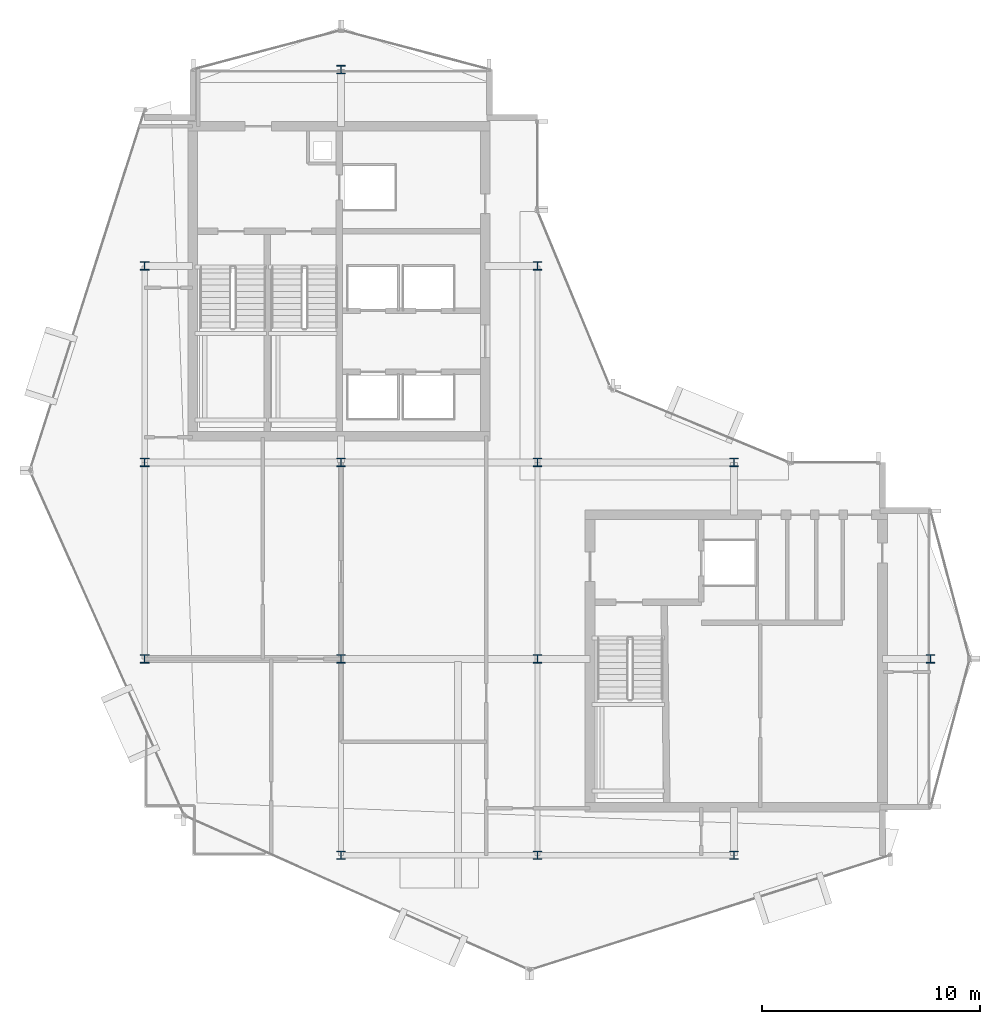
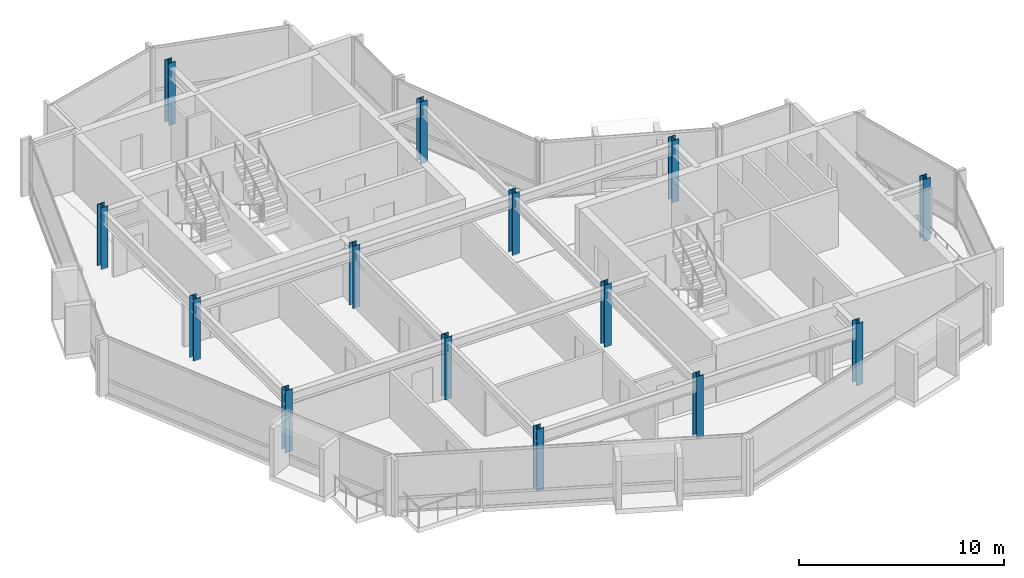
# One storey, part 1 of 19: 14 columns.
"""IFC4 building model written with IfcOpenShell, lengths in metres."""

from ifc_helpers import new_model, si_unit, direction, frame, origin, origin_2d, place, context, subcontext, project, spatial, i_section, extrude, material, material_profile, profile_set, type_object, element, save


model = new_model("IFC4")

# Units and contexts
model_context = context("Model", 3, precision=1e-05, world=origin(), true_north=direction((0.0, 1.0)))
body_context = subcontext(model_context, "Body", "Model", "MODEL_VIEW")
ifc_project = project(units=[si_unit("LENGTHUNIT", "METRE"), si_unit("AREAUNIT", "SQUARE_METRE"), si_unit("VOLUMEUNIT", "CUBIC_METRE"), si_unit("PLANEANGLEUNIT", "RADIAN"), si_unit("MASSUNIT", "GRAM", prefix="KILO")], contexts=[model_context])

# Site, building, storey
site_placement = place(None, origin())
site = spatial("IfcSite", under=ifc_project, at=site_placement, CompositionType="ELEMENT")
building_placement = place(site_placement, origin())
building = spatial("IfcBuilding", under=site, at=building_placement, Name="Solvaryn Broadcast Tower", CompositionType="ELEMENT")
storey_placement = place(building_placement, frame((0.0, 0.0, 255.60009765625)))
storey = spatial("IfcBuildingStorey", under=building, at=storey_placement, Name="L64", CompositionType="ELEMENT", Elevation=255.60009765625)

# Columns
ifc_material_1 = material(Name="Steel ASTM A913 Grade 65", Category="steel")
ifc_material_profile_1 = material_profile(ifc_material_1, i_section(OverallWidth=0.39697265625, OverallDepth=0.386962890625, WebThickness=0.02099609375, FlangeThickness=0.033203125, FilletRadius=0.014892578125, at=origin_2d()))
ifc_profile_set_1 = profile_set([ifc_material_profile_1], Name="Steel ASTM A913 Grade 65")
column_type_1 = type_object("IfcColumnType", Name="COL-C09E-W14X176", PredefinedType="COLUMN", material=ifc_profile_set_1)
for number, where, z_axis, x_axis, name in (
    (1, (9.0, 18.0, 0.0), (0.0, 0.0, 1.0), (1.0, 0.0, 0.0), "L64 Column (9.0, 18.0)"),
    (2, (9.0, 27.0, 0.0), (0.0, 0.0, 1.0), (1.0, 0.0, 0.0), "L64 Column (9.0, 27.0)"),
    (3, (9.0, 36.0, 0.0), (0.0, 0.0, 1.0), (1.0, 0.0, 0.0), "L64 Column (9.0, 36.0)"),
    (4, (18.0, 9.0, 0.0), (0.0, 0.0, 1.0), (1.0, 0.0, 0.0), "L64 Column (18.0, 9.0)"),
    (5, (18.0, 45.0, 0.0), (0.0, 0.0, 1.0), (1.0, 0.0, 0.0), "L64 Column (18.0, 45.0)"),
    (6, (27.0, 9.0, 0.0), (0.0, 0.0, 1.0), (1.0, 0.0, 0.0), "L64 Column (27.0, 9.0)"),
    (7, (27.0, 36.0, 0.0), (0.0, 0.0, 1.0), (1.0, 0.0, 0.0), "L64 Column (27.0, 36.0)"),
    (8, (36.0, 9.0, 0.0), (0.0, 0.0, 1.0), (1.0, 0.0, 0.0), "L64 Column (36.0, 9.0)"),
    (9, (36.0, 27.0, 0.0), (0.0, 0.0, 1.0), (1.0, 0.0, 0.0), "L64 Column (36.0, 27.0)"),
    (10, (45.0, 18.0, 0.0), (0.0, 0.0, 1.0), (1.0, 0.0, 0.0), "L64 Column (45.0, 18.0)"),
):
    element("IfcColumn", number, at=place(storey_placement, frame(where, z_axis=z_axis, x_axis=x_axis)), inside=storey, type_object=column_type_1, Name=name, PredefinedType="COLUMN", context=body_context, shape_type="SweptSolid", body=[
        extrude(i_section(OverallWidth=0.39697265625, OverallDepth=0.386962890625, WebThickness=0.02099609375, FlangeThickness=0.033203125, FilletRadius=0.014892578125, at=origin_2d()), origin(), (0.0, 0.0, 1.0), 3.699951171875),
    ])
ifc_material_2 = material(Name="Steel ASTM A913 Grade 65", Category="steel")
ifc_material_profile_2 = material_profile(ifc_material_2, i_section(OverallWidth=0.39697265625, OverallDepth=0.386962890625, WebThickness=0.02099609375, FlangeThickness=0.033203125, FilletRadius=0.014892578125, at=origin_2d()))
ifc_profile_set_2 = profile_set([ifc_material_profile_2], Name="Steel ASTM A913 Grade 65")
column_type_2 = type_object("IfcColumnType", Name="COL-C09I-W14X176", PredefinedType="COLUMN", material=ifc_profile_set_2)
for number, where, z_axis, x_axis, name in (
    (11, (18.0, 18.0, 0.0), (0.0, 0.0, 1.0), (1.0, 0.0, 0.0), "L64 Column (18.0, 18.0)"),
    (12, (18.0, 27.0, 0.0), (0.0, 0.0, 1.0), (1.0, 0.0, 0.0), "L64 Column (18.0, 27.0)"),
    (13, (27.0, 18.0, 0.0), (0.0, 0.0, 1.0), (1.0, 0.0, 0.0), "L64 Column (27.0, 18.0)"),
    (14, (27.0, 27.0, 0.0), (0.0, 0.0, 1.0), (1.0, 0.0, 0.0), "L64 Column (27.0, 27.0)"),
):
    element("IfcColumn", number, at=place(storey_placement, frame(where, z_axis=z_axis, x_axis=x_axis)), inside=storey, type_object=column_type_2, Name=name, PredefinedType="COLUMN", context=body_context, shape_type="SweptSolid", body=[
        extrude(i_section(OverallWidth=0.39697265625, OverallDepth=0.386962890625, WebThickness=0.02099609375, FlangeThickness=0.033203125, FilletRadius=0.014892578125, at=origin_2d()), origin(), (0.0, 0.0, 1.0), 3.699951171875),
    ])

save(model, "model.ifc")
